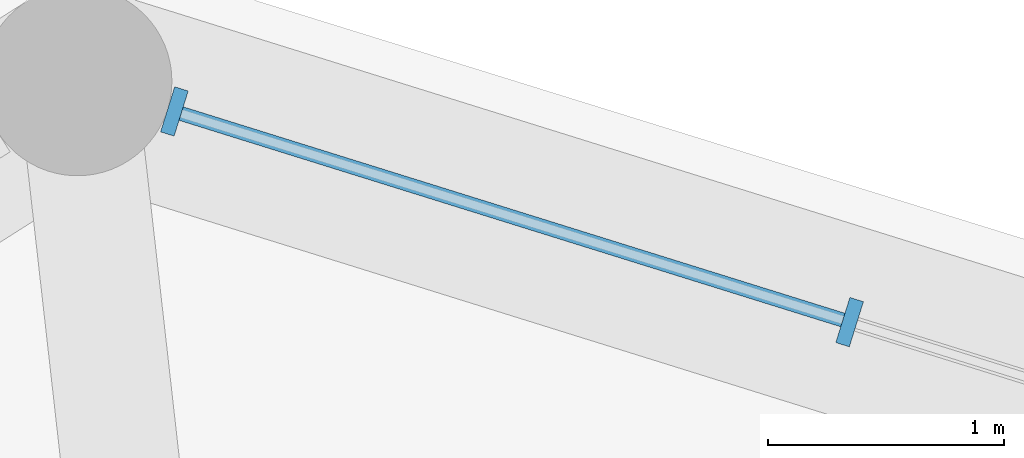
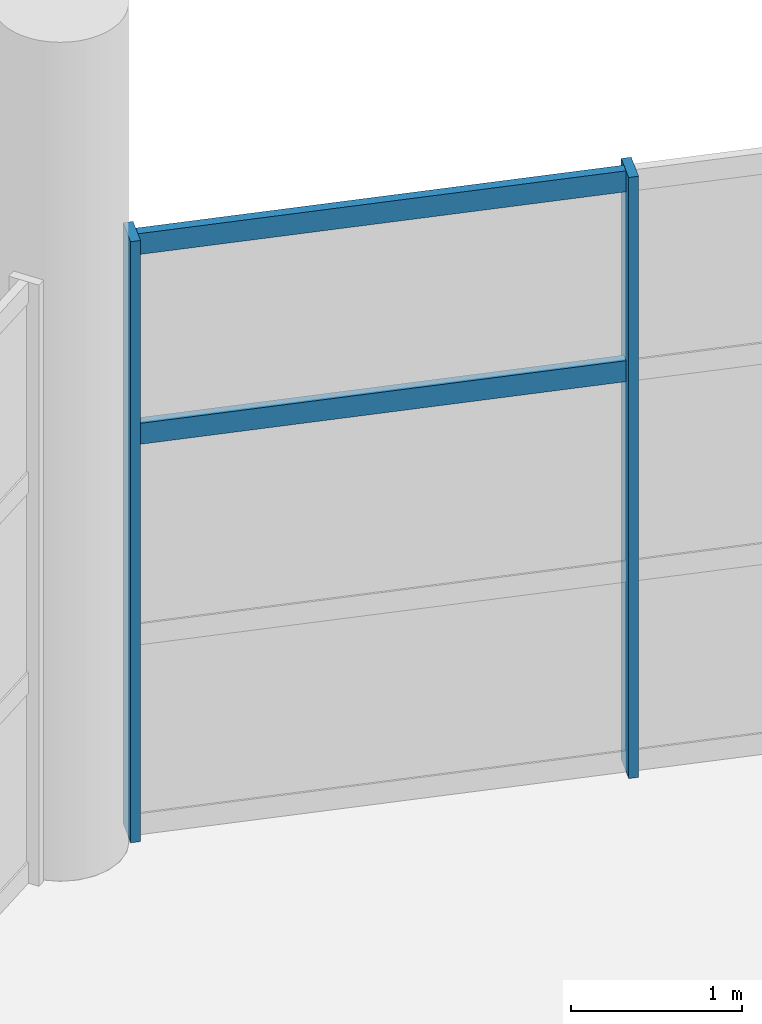
# One storey, part 66 of 249: 4 members, 1 element without a shape of its own.
"""IFC4 building model written with IfcOpenShell, lengths in metres."""

from ifc_helpers import new_model, si_unit, direction, frame, origin, origin_2d, place, context, subcontext, project, spatial, rectangle, extrude, material, layer, layer_set, material_profile, profile_set, type_object, element, aggregate, save


model = new_model("IFC4")

# Units and contexts
model_context = context("Model", 3, precision=1e-05, world=origin(), true_north=direction((0.0, 1.0)))
body_context = subcontext(model_context, "Body", "Model", "MODEL_VIEW")
ifc_project = project(units=[si_unit("LENGTHUNIT", "METRE"), si_unit("AREAUNIT", "SQUARE_METRE"), si_unit("VOLUMEUNIT", "CUBIC_METRE"), si_unit("PLANEANGLEUNIT", "RADIAN"), si_unit("MASSUNIT", "GRAM", prefix="KILO")], contexts=[model_context])

# Site, building, storey
site_placement = place(None, origin())
site = spatial("IfcSite", under=ifc_project, at=site_placement, CompositionType="ELEMENT")
building_placement = place(site_placement, origin())
building = spatial("IfcBuilding", under=site, at=building_placement, Name="Meseta Stadium", CompositionType="ELEMENT")
storey_placement = place(building_placement, frame((0.0, 0.0, 12.0)))
storey = spatial("IfcBuildingStorey", under=building, at=storey_placement, Name="L02", CompositionType="ELEMENT", Elevation=12.0)

# Curtain wall, members
ifc_material_1 = material(Name="Aluminium", Category="aluminium")
ifc_layer = layer(ifc_material_1, 0.199951171875)
ifc_layer_set = layer_set([ifc_layer], Name="Ring shopfront curtain wall")
curtain_wall_type = type_object("IfcCurtainWallType", Name="Ring shopfront curtain wall", PredefinedType="NOTDEFINED", material=ifc_layer_set)
curtain_wall_placement = place(storey_placement, origin())
curtain_wall = element("IfcCurtainWall", 1, at=curtain_wall_placement, inside=storey, type_object=curtain_wall_type, Name="Ring glazing L02 F21", PredefinedType="NOTDEFINED")
ifc_material_2 = material(Name="Aluminium", Category="aluminium")
ifc_material_profile_1 = material_profile(ifc_material_2, rectangle(XDim=0.199951171875, YDim=0.06005859375, at=origin_2d()), Name="CW 200x60")
ifc_profile_set_1 = profile_set([ifc_material_profile_1], Name="Aluminium")
member_type_1 = type_object("IfcMemberType", Name="Ring CW mullion 60x200", PredefinedType="MULLION", material=ifc_profile_set_1)
member_1_placement = place(storey_placement, frame((-50.253173828125, 115.71923828125, 0.0), z_axis=(0.0, 0.0, 1.0), x_axis=(-0.297861157885, -0.95460920309, 0.0)))
member_1 = element("IfcMember", 2, at=member_1_placement, type_object=member_type_1, Name="CWR1 mullion 5", PredefinedType="MULLION", context=body_context, shape_type="SweptSolid", body=[
    extrude(rectangle(XDim=0.199951171875, YDim=0.06005859375, at=origin_2d()), origin(), (0.0, 0.0, 1.0), 4.300048828125),
])
member_2_placement = place(storey_placement, frame((-53.109130859375, 116.6103515625, 0.0), z_axis=(0.0, 0.0, 1.0), x_axis=(-0.297861157885, -0.95460920309, 0.0)))
member_2 = element("IfcMember", 3, at=member_2_placement, type_object=member_type_1, Name="CWR1 mullion 6", PredefinedType="MULLION", context=body_context, shape_type="SweptSolid", body=[
    extrude(rectangle(XDim=0.199951171875, YDim=0.06005859375, at=origin_2d()), origin(), (0.0, 0.0, 1.0), 4.300048828125),
])
ifc_material_3 = material(Name="Aluminium", Category="aluminium")
ifc_material_profile_2 = material_profile(ifc_material_3, rectangle(XDim=0.06005859375, YDim=0.14990234375, at=origin_2d()), Name="CW 60x150")
ifc_profile_set_2 = profile_set([ifc_material_profile_2], Name="Aluminium")
member_type_2 = type_object("IfcMemberType", Name="Ring CW transom 60x150", PredefinedType="USERDEFINED", material=ifc_profile_set_2)
member_3_placement = place(storey_placement, frame((-50.281982421875, 115.728271484375, 2.86669921875), z_axis=(-0.954626563938, 0.297805512749, 0.0), x_axis=(-0.297805512749, -0.954626563938, 0.0)))
member_3 = element("IfcMember", 4, at=member_3_placement, type_object=member_type_2, Name="CWR1 transom 5.3", ObjectType="TRANSOM", PredefinedType="USERDEFINED", context=body_context, shape_type="SweptSolid", body=[
    extrude(rectangle(XDim=0.06005859375, YDim=0.14990234375, at=origin_2d()), origin(), (0.0, 0.0, 1.0), 2.931640625),
])
member_4_placement = place(storey_placement, frame((-50.281982421875, 115.728271484375, 4.22509765625), z_axis=(-0.954626563938, 0.297805512749, 0.0), x_axis=(-0.297805512749, -0.954626563938, 0.0)))
member_4 = element("IfcMember", 5, at=member_4_placement, type_object=member_type_2, Name="CWR1 transom 5.4", ObjectType="TRANSOM", PredefinedType="USERDEFINED", context=body_context, shape_type="SweptSolid", body=[
    extrude(rectangle(XDim=0.06005859375, YDim=0.14990234375, at=origin_2d()), origin(), (0.0, 0.0, 1.0), 2.931640625),
])
aggregate(curtain_wall, [member_1, member_2, member_3, member_4])

save(model, "model.ifc")
